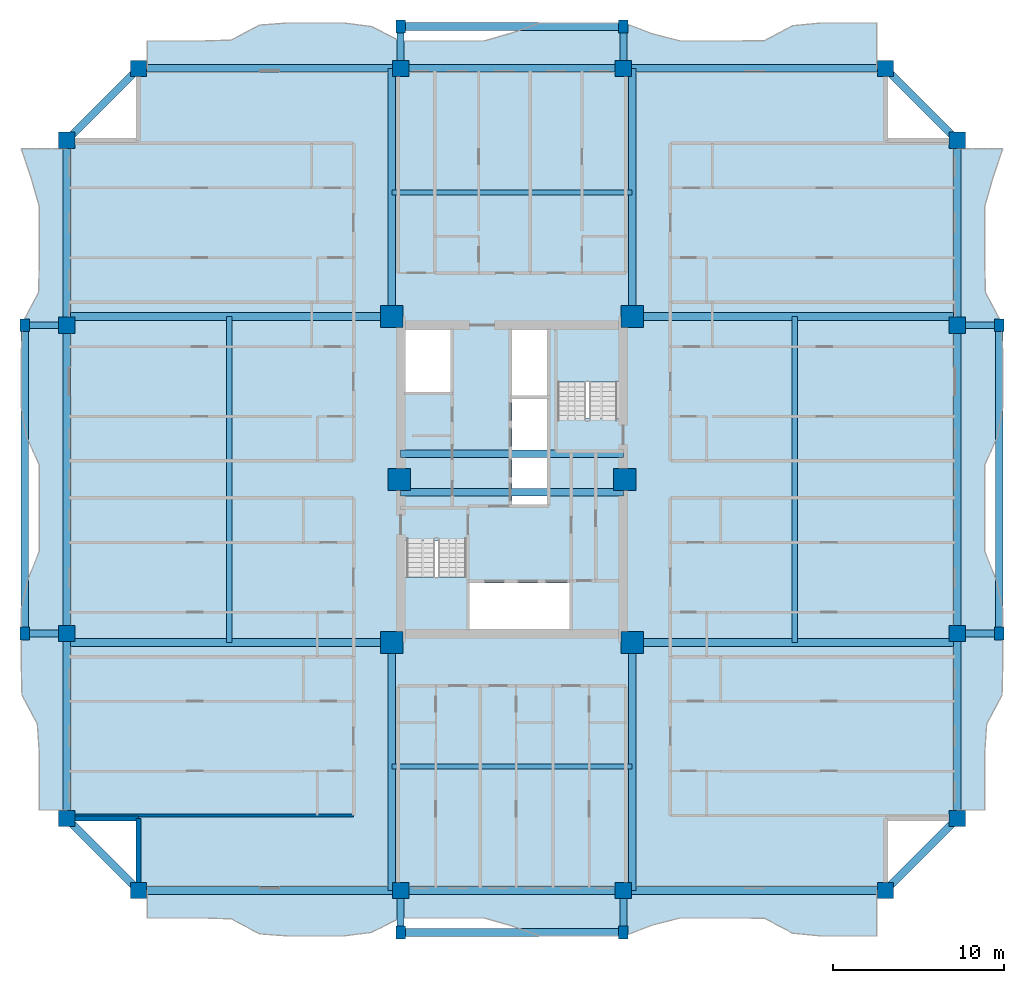
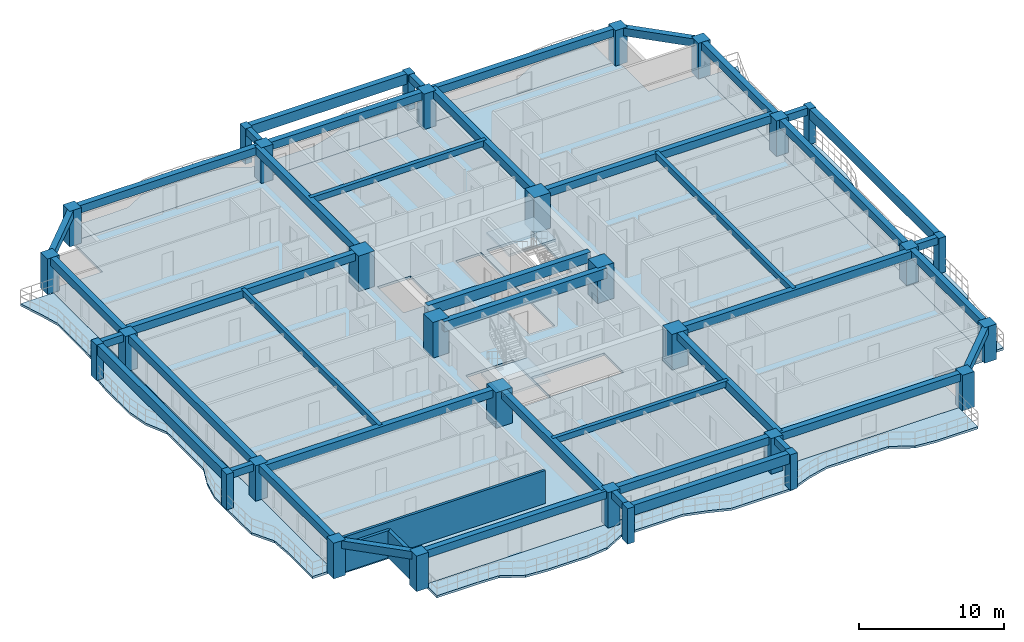
# One storey, part 1 of 13: 42 beams, 30 columns, 7 slabs, 3 walls, 2 elements without a shape of their own.
"""IFC4 building model written with IfcOpenShell, lengths in metres."""

from ifc_helpers import new_model, si_unit, direction, frame, frame_2d, origin, origin_2d, place, context, subcontext, project, spatial, polyline, rectangle, outline, extrude, source, transform, mapped, material, layer, layer_set, material_profile, profile_set, type_object, element, aggregate, save


model = new_model("IFC4")

# Units and contexts
model_context = context("Model", 3, precision=1e-05, world=origin(), true_north=direction((0.0, 1.0)))
body_context = subcontext(model_context, "Body", "Model", "MODEL_VIEW")
ifc_project = project(units=[si_unit("LENGTHUNIT", "METRE"), si_unit("AREAUNIT", "SQUARE_METRE"), si_unit("VOLUMEUNIT", "CUBIC_METRE"), si_unit("PLANEANGLEUNIT", "RADIAN"), si_unit("MASSUNIT", "GRAM", prefix="KILO")], contexts=[model_context])

# Site, building, storey
site_placement = place(None, origin())
site = spatial("IfcSite", under=ifc_project, at=site_placement, CompositionType="ELEMENT")
building_placement = place(site_placement, origin())
building = spatial("IfcBuilding", under=site, at=building_placement, Name="Saelheon Loggia Tower", CompositionType="ELEMENT")
storey_placement = place(building_placement, frame((0.0, 0.0, 104.85009765625)))
storey = spatial("IfcBuildingStorey", under=building, at=storey_placement, Name="L33", CompositionType="ELEMENT", Elevation=104.85009765625)

# Columns
ifc_material_1 = material(Name="Precast Concrete C45/55", Category="concrete")
ifc_material_profile_1 = material_profile(ifc_material_1, rectangle(XDim=0.550048828125, YDim=0.75, at=origin_2d()), Name="RC-550x750")
ifc_profile_set_1 = profile_set([ifc_material_profile_1], Name="Precast Concrete C45/55")
column_type_1 = type_object("IfcColumnType", Name="Col_Loggia_Pilaster_750", PredefinedType="PILASTER", material=ifc_profile_set_1)
shared_shape_1 = source(origin(), body_context, "Body", "SweptSolid", [
    extrude(rectangle(XDim=0.550048828125, YDim=0.75, at=origin_2d()), origin(), (0.0, 0.0, 1.0), 3.0),
])
for number, where, z_axis, x_axis, name in (
    (1, (31.5, 0.550048828125, 0.0), (0.0, 0.0, 1.0), (1.0, 0.0, 0.0), "L33 Loggia Frame Pilaster LP-S1"),
    (2, (44.5, 0.550048828125, 0.0), (0.0, 0.0, 1.0), (1.0, 0.0, 0.0), "L33 Loggia Frame Pilaster LP-S2"),
    (3, (31.5, 53.449951171875, 0.0), (0.0, 0.0, 1.0), (1.0, 0.0, 0.0), "L33 Loggia Frame Pilaster LP-N1"),
    (4, (44.5, 53.449951171875, 0.0), (0.0, 0.0, 1.0), (1.0, 0.0, 0.0), "L33 Loggia Frame Pilaster LP-N2"),
    (5, (66.449951171875, 18.0, 0.0), (0.0, 0.0, 1.0), (1.0, 0.0, 0.0), "L33 Loggia Frame Pilaster LP-E1"),
    (6, (66.449951171875, 36.0, 0.0), (0.0, 0.0, 1.0), (1.0, 0.0, 0.0), "L33 Loggia Frame Pilaster LP-E2"),
    (7, (9.550048828125, 18.0, 0.0), (0.0, 0.0, 1.0), (1.0, 0.0, 0.0), "L33 Loggia Frame Pilaster LP-W1"),
    (8, (9.550048828125, 36.0, 0.0), (0.0, 0.0, 1.0), (1.0, 0.0, 0.0), "L33 Loggia Frame Pilaster LP-W2"),
):
    element("IfcColumn", number, at=place(storey_placement, frame(where, z_axis=z_axis, x_axis=x_axis)), inside=storey, type_object=column_type_1, Name=name, PredefinedType="PILASTER", context=body_context, shape_type="MappedRepresentation", body=[
        mapped(shared_shape_1, transform((0.0, 0.0, 0.0), scale=1.0)),
    ])
ifc_material_2 = material(Name="Concrete C60/75", Category="concrete")
ifc_material_profile_2 = material_profile(ifc_material_2, rectangle(XDim=1.300048828125, YDim=1.300048828125, at=origin_2d()), Name="RC-1300x1300")
ifc_profile_set_2 = profile_set([ifc_material_profile_2], Name="Concrete C60/75")
column_type_2 = type_object("IfcColumnType", Name="Col_Core_RC1300", PredefinedType="COLUMN", material=ifc_profile_set_2)
shared_shape_2 = source(origin(), body_context, "Body", "SweptSolid", [
    extrude(rectangle(XDim=1.300048828125, YDim=1.300048828125, at=origin_2d()), origin(), (0.0, 0.0, 1.0), 3.0),
])
for number, where, z_axis, x_axis, name in (
    (9, (30.97998046875, 17.47998046875, 0.0), (0.0, 0.0, 1.0), (1.0, 0.0, 0.0), "L33 Core Column CR-SW"),
    (10, (45.02001953125, 17.47998046875, 0.0), (0.0, 0.0, 1.0), (1.0, 0.0, 0.0), "L33 Core Column CR-SE"),
    (11, (30.97998046875, 36.52001953125, 0.0), (0.0, 0.0, 1.0), (1.0, 0.0, 0.0), "L33 Core Column CR-NW"),
    (12, (45.02001953125, 36.52001953125, 0.0), (0.0, 0.0, 1.0), (1.0, 0.0, 0.0), "L33 Core Column CR-NE"),
    (13, (31.419921875, 27.0, 0.0), (0.0, 0.0, 1.0), (1.0, 0.0, 0.0), "L33 Core Column CR-MW"),
    (14, (44.580078125, 27.0, 0.0), (0.0, 0.0, 1.0), (1.0, 0.0, 0.0), "L33 Core Column CR-ME"),
):
    element("IfcColumn", number, at=place(storey_placement, frame(where, z_axis=z_axis, x_axis=x_axis)), inside=storey, type_object=column_type_2, Name=name, PredefinedType="COLUMN", context=body_context, shape_type="MappedRepresentation", body=[
        mapped(shared_shape_2, transform((0.0, 0.0, 0.0), scale=1.0)),
    ])
ifc_material_3 = material(Name="Concrete C50/60", Category="concrete")
ifc_material_profile_3 = material_profile(ifc_material_3, rectangle(XDim=0.949951171875, YDim=0.949951171875, at=origin_2d()), Name="RC-950x950")
ifc_profile_set_3 = profile_set([ifc_material_profile_3], Name="Concrete C50/60")
column_type_3 = type_object("IfcColumnType", Name="Col_Perim_RC950", PredefinedType="COLUMN", material=ifc_profile_set_3)
shared_shape_3 = source(origin(), body_context, "Body", "SweptSolid", [
    extrude(rectangle(XDim=0.949951171875, YDim=0.949951171875, at=origin_2d()), origin(), (0.0, 0.0, 1.0), 3.0),
])
for number, where, z_axis, x_axis, name in (
    (15, (16.199951171875, 3.0, 0.0), (0.0, 0.0, 1.0), (1.0, 0.0, 0.0), "L33 Perimeter Column TP-S1"),
    (16, (31.5, 3.0, 0.0), (0.0, 0.0, 1.0), (1.0, 0.0, 0.0), "L33 Perimeter Column TP-SA"),
    (17, (44.5, 3.0, 0.0), (0.0, 0.0, 1.0), (1.0, 0.0, 0.0), "L33 Perimeter Column TP-SB"),
    (18, (59.800048828125, 3.0, 0.0), (0.0, 0.0, 1.0), (1.0, 0.0, 0.0), "L33 Perimeter Column TP-S2"),
    (19, (64.0, 7.199951171875, 0.0), (0.0, 0.0, 1.0), (1.0, 0.0, 0.0), "L33 Perimeter Column TP-E1"),
    (20, (64.0, 18.0, 0.0), (0.0, 0.0, 1.0), (1.0, 0.0, 0.0), "L33 Perimeter Column TP-EA"),
    (21, (64.0, 36.0, 0.0), (0.0, 0.0, 1.0), (1.0, 0.0, 0.0), "L33 Perimeter Column TP-EB"),
    (22, (64.0, 46.800048828125, 0.0), (0.0, 0.0, 1.0), (1.0, 0.0, 0.0), "L33 Perimeter Column TP-E2"),
    (23, (59.800048828125, 51.0, 0.0), (0.0, 0.0, 1.0), (1.0, 0.0, 0.0), "L33 Perimeter Column TP-N2"),
    (24, (44.5, 51.0, 0.0), (0.0, 0.0, 1.0), (1.0, 0.0, 0.0), "L33 Perimeter Column TP-NB"),
    (25, (31.5, 51.0, 0.0), (0.0, 0.0, 1.0), (1.0, 0.0, 0.0), "L33 Perimeter Column TP-NA"),
    (26, (16.199951171875, 51.0, 0.0), (0.0, 0.0, 1.0), (1.0, 0.0, 0.0), "L33 Perimeter Column TP-N1"),
    (27, (12.0, 46.800048828125, 0.0), (0.0, 0.0, 1.0), (1.0, 0.0, 0.0), "L33 Perimeter Column TP-W2"),
    (28, (12.0, 36.0, 0.0), (0.0, 0.0, 1.0), (1.0, 0.0, 0.0), "L33 Perimeter Column TP-WB"),
    (29, (12.0, 18.0, 0.0), (0.0, 0.0, 1.0), (1.0, 0.0, 0.0), "L33 Perimeter Column TP-WA"),
    (30, (12.0, 7.199951171875, 0.0), (0.0, 0.0, 1.0), (1.0, 0.0, 0.0), "L33 Perimeter Column TP-W1"),
):
    element("IfcColumn", number, at=place(storey_placement, frame(where, z_axis=z_axis, x_axis=x_axis)), inside=storey, type_object=column_type_3, Name=name, PredefinedType="COLUMN", context=body_context, shape_type="MappedRepresentation", body=[
        mapped(shared_shape_3, transform((0.0, 0.0, 0.0), scale=1.0)),
    ])

# Beams
ifc_material_profile_4 = material_profile(ifc_material_3, rectangle(XDim=0.449951171875, YDim=0.85009765625, at=origin_2d()), Name="RC-450x850")
ifc_profile_set_4 = profile_set([ifc_material_profile_4], Name="Concrete C50/60")
beam_type_1 = type_object("IfcBeamType", Name="Beam_CoreLintel_RC450x850", PredefinedType="LINTEL", material=ifc_profile_set_4)
shared_shape_4 = source(origin(), body_context, "Body", "SweptSolid", [
    extrude(rectangle(XDim=0.449951171875, YDim=0.85009765625, at=origin_2d()), origin(), (0.0, 0.0, 1.0), 13.0),
])
for number, where, z_axis, x_axis, name in (
    (31, (31.5, 26.25, 2.574951171875), (1.0, 0.0, 0.0), (0.0, 1.0, 0.0), "L33 Core Coupling Lintel 1"),
    (32, (31.5, 28.5, 2.574951171875), (1.0, 0.0, 0.0), (0.0, 1.0, 0.0), "L33 Core Coupling Lintel 2"),
):
    element("IfcBeam", number, at=place(storey_placement, frame(where, z_axis=z_axis, x_axis=x_axis)), inside=storey, type_object=beam_type_1, Name=name, PredefinedType="LINTEL", context=body_context, shape_type="MappedRepresentation", body=[
        mapped(shared_shape_4, transform((0.0, 0.0, 0.0), scale=1.0)),
    ])
ifc_material_profile_5 = material_profile(ifc_material_1, rectangle(XDim=0.449951171875, YDim=0.85009765625, at=origin_2d()), Name="RC-450x850")
ifc_profile_set_5 = profile_set([ifc_material_profile_5], Name="Precast Concrete C45/55")
beam_type_2 = type_object("IfcBeamType", Name="Beam_LoggiaSpandrel_RC450x850", PredefinedType="SPANDREL", material=ifc_profile_set_5)
for number, where, z_axis, x_axis, name in (
    (33, (31.5, 0.550048828125, 2.574951171875), (1.0, 0.0, 0.0), (0.0, 1.0, 0.0), "L33 Loggia Spandrel Beam S"),
    (34, (31.5, 53.449951171875, 2.574951171875), (1.0, 0.0, 0.0), (0.0, 1.0, 0.0), "L33 Loggia Spandrel Beam N"),
):
    element("IfcBeam", number, at=place(storey_placement, frame(where, z_axis=z_axis, x_axis=x_axis)), inside=storey, type_object=beam_type_2, Name=name, PredefinedType="SPANDREL", context=body_context, shape_type="MappedRepresentation", body=[
        mapped(shared_shape_4, transform((0.0, 0.0, 0.0), scale=1.0)),
    ])
ifc_material_profile_6 = material_profile(ifc_material_1, rectangle(XDim=0.39990234375, YDim=0.60009765625, at=origin_2d()), Name="RC-400x600")
ifc_profile_set_6 = profile_set([ifc_material_profile_6], Name="Precast Concrete C45/55")
beam_type_3 = type_object("IfcBeamType", Name="Beam_LoggiaTie_RC400x600", PredefinedType="BEAM", material=ifc_profile_set_6)
shared_shape_5 = source(origin(), body_context, "Body", "SweptSolid", [
    extrude(rectangle(XDim=0.39990234375, YDim=0.60009765625, at=origin_2d()), origin(), (0.0, 0.0, 1.0), 2.449951171875),
])
for number, where, z_axis, x_axis, name in (
    (35, (31.5, 3.0, 2.699951171875), (0.0, -1.0, 0.0), (1.0, 0.0, 0.0), "L33 Loggia Frame Tie Beam LP-S1"),
    (36, (44.5, 3.0, 2.699951171875), (0.0, -1.0, 0.0), (1.0, 0.0, 0.0), "L33 Loggia Frame Tie Beam LP-S2"),
    (37, (31.5, 51.0, 2.699951171875), (0.0, 1.0, 0.0), (-1.0, 0.0, 0.0), "L33 Loggia Frame Tie Beam LP-N1"),
    (38, (44.5, 51.0, 2.699951171875), (0.0, 1.0, 0.0), (-1.0, 0.0, 0.0), "L33 Loggia Frame Tie Beam LP-N2"),
    (39, (64.0, 18.0, 2.699951171875), (1.0, 0.0, 0.0), (0.0, 1.0, 0.0), "L33 Loggia Frame Tie Beam LP-E1"),
    (40, (64.0, 36.0, 2.699951171875), (1.0, 0.0, 0.0), (0.0, 1.0, 0.0), "L33 Loggia Frame Tie Beam LP-E2"),
    (41, (12.0, 18.0, 2.699951171875), (-1.0, 0.0, 0.0), (0.0, -1.0, 0.0), "L33 Loggia Frame Tie Beam LP-W1"),
    (42, (12.0, 36.0, 2.699951171875), (-1.0, 0.0, 0.0), (0.0, -1.0, 0.0), "L33 Loggia Frame Tie Beam LP-W2"),
):
    element("IfcBeam", number, at=place(storey_placement, frame(where, z_axis=z_axis, x_axis=x_axis)), inside=storey, type_object=beam_type_3, Name=name, PredefinedType="BEAM", context=body_context, shape_type="MappedRepresentation", body=[
        mapped(shared_shape_5, transform((0.0, 0.0, 0.0), scale=1.0)),
    ])
shared_shape_6 = source(origin(), body_context, "Body", "SweptSolid", [
    extrude(rectangle(XDim=0.449951171875, YDim=0.85009765625, at=origin_2d()), origin(), (0.0, 0.0, 1.0), 18.0),
])
for number, where, z_axis, x_axis, name in (
    (43, (66.449951171875, 18.0, 2.574951171875), (0.0, 1.0, 0.0), (-1.0, 0.0, 0.0), "L33 Loggia Spandrel Beam E"),
    (44, (9.550048828125, 18.0, 2.574951171875), (0.0, 1.0, 0.0), (-1.0, 0.0, 0.0), "L33 Loggia Spandrel Beam W"),
):
    element("IfcBeam", number, at=place(storey_placement, frame(where, z_axis=z_axis, x_axis=x_axis)), inside=storey, type_object=beam_type_2, Name=name, PredefinedType="SPANDREL", context=body_context, shape_type="MappedRepresentation", body=[
        mapped(shared_shape_6, transform((0.0, 0.0, 0.0), scale=1.0)),
    ])
ifc_material_4 = material(Name="Concrete C40/50", Category="concrete")
ifc_material_profile_7 = material_profile(ifc_material_4, rectangle(XDim=0.449951171875, YDim=0.64990234375, at=origin_2d()), Name="RC-450x650")
ifc_profile_set_7 = profile_set([ifc_material_profile_7], Name="Concrete C40/50")
beam_type_4 = type_object("IfcBeamType", Name="Beam_PerimTower_RC450x650", PredefinedType="BEAM", material=ifc_profile_set_7)
shared_shape_7 = source(origin(), body_context, "Body", "SweptSolid", [
    extrude(rectangle(XDim=0.449951171875, YDim=0.64990234375, at=origin_2d()), origin(), (0.0, 0.0, 1.0), 15.300048828125),
])
for number, where, z_axis, x_axis, name in (
    (45, (16.199951171875, 3.0, 2.6748046875), (1.0, 0.0, 0.0), (0.0, 1.0, 0.0), "L33 Perimeter Frame Girder 01"),
    (46, (44.5, 3.0, 2.6748046875), (1.0, 0.0, 0.0), (0.0, 1.0, 0.0), "L33 Perimeter Frame Girder 03"),
    (47, (59.800048828125, 51.0, 2.6748046875), (-1.0, 0.0, 0.0), (0.0, -1.0, 0.0), "L33 Perimeter Frame Girder 09"),
    (48, (31.5, 51.0, 2.6748046875), (-1.0, 0.0, 0.0), (0.0, -1.0, 0.0), "L33 Perimeter Frame Girder 11"),
):
    element("IfcBeam", number, at=place(storey_placement, frame(where, z_axis=z_axis, x_axis=x_axis)), inside=storey, type_object=beam_type_4, Name=name, PredefinedType="BEAM", context=body_context, shape_type="MappedRepresentation", body=[
        mapped(shared_shape_7, transform((0.0, 0.0, 0.0), scale=1.0)),
    ])
shared_shape_8 = source(origin(), body_context, "Body", "SweptSolid", [
    extrude(rectangle(XDim=0.449951171875, YDim=0.64990234375, at=origin_2d()), origin(), (0.0, 0.0, 1.0), 13.0),
])
for number, where, z_axis, x_axis, name in (
    (49, (31.5, 3.0, 2.6748046875), (1.0, 0.0, 0.0), (0.0, 1.0, 0.0), "L33 Perimeter Frame Girder 02"),
    (50, (44.5, 51.0, 2.6748046875), (-1.0, 0.0, 0.0), (0.0, -1.0, 0.0), "L33 Perimeter Frame Girder 10"),
):
    element("IfcBeam", number, at=place(storey_placement, frame(where, z_axis=z_axis, x_axis=x_axis)), inside=storey, type_object=beam_type_4, Name=name, PredefinedType="BEAM", context=body_context, shape_type="MappedRepresentation", body=[
        mapped(shared_shape_8, transform((0.0, 0.0, 0.0), scale=1.0)),
    ])
shared_shape_9 = source(origin(), body_context, "Body", "SweptSolid", [
    extrude(rectangle(XDim=0.449951171875, YDim=0.64990234375, at=origin_2d()), origin(), (0.0, 0.0, 1.0), 5.939697265625),
])
for number, where, z_axis, x_axis, name in (
    (51, (59.800048828125, 3.0, 2.6748046875), (0.707106781187, 0.707106781187, 0.0), (-0.707106781187, 0.707106781187, 0.0), "L33 Perimeter Frame Girder 04"),
    (52, (64.0, 46.800048828125, 2.6748046875), (-0.707106781187, 0.707106781187, 0.0), (-0.707106781187, -0.707106781187, 0.0), "L33 Perimeter Frame Girder 08"),
    (53, (16.199951171875, 51.0, 2.6748046875), (-0.707106781187, -0.707106781187, 0.0), (0.707106781187, -0.707106781187, 0.0), "L33 Perimeter Frame Girder 12"),
    (54, (12.0, 7.199951171875, 2.6748046875), (0.707106781187, -0.707106781187, 0.0), (0.707106781187, 0.707106781187, 0.0), "L33 Perimeter Frame Girder 16"),
):
    element("IfcBeam", number, at=place(storey_placement, frame(where, z_axis=z_axis, x_axis=x_axis)), inside=storey, type_object=beam_type_4, Name=name, PredefinedType="BEAM", context=body_context, shape_type="MappedRepresentation", body=[
        mapped(shared_shape_9, transform((0.0, 0.0, 0.0), scale=1.0)),
    ])
shared_shape_10 = source(origin(), body_context, "Body", "SweptSolid", [
    extrude(rectangle(XDim=0.449951171875, YDim=0.64990234375, at=origin_2d()), origin(), (0.0, 0.0, 1.0), 10.800048828125),
])
for number, where, z_axis, x_axis, name in (
    (55, (64.0, 7.199951171875, 2.6748046875), (0.0, 1.0, 0.0), (-1.0, 0.0, 0.0), "L33 Perimeter Frame Girder 05"),
    (56, (64.0, 36.0, 2.6748046875), (0.0, 1.0, 0.0), (-1.0, 0.0, 0.0), "L33 Perimeter Frame Girder 07"),
    (57, (12.0, 46.800048828125, 2.6748046875), (0.0, -1.0, 0.0), (1.0, 0.0, 0.0), "L33 Perimeter Frame Girder 13"),
    (58, (12.0, 18.0, 2.6748046875), (0.0, -1.0, 0.0), (1.0, 0.0, 0.0), "L33 Perimeter Frame Girder 15"),
):
    element("IfcBeam", number, at=place(storey_placement, frame(where, z_axis=z_axis, x_axis=x_axis)), inside=storey, type_object=beam_type_4, Name=name, PredefinedType="BEAM", context=body_context, shape_type="MappedRepresentation", body=[
        mapped(shared_shape_10, transform((0.0, 0.0, 0.0), scale=1.0)),
    ])
shared_shape_11 = source(origin(), body_context, "Body", "SweptSolid", [
    extrude(rectangle(XDim=0.449951171875, YDim=0.64990234375, at=origin_2d()), origin(), (0.0, 0.0, 1.0), 18.0),
])
for number, where, z_axis, x_axis, name in (
    (59, (64.0, 18.0, 2.6748046875), (0.0, 1.0, 0.0), (-1.0, 0.0, 0.0), "L33 Perimeter Frame Girder 06"),
    (60, (12.0, 36.0, 2.6748046875), (0.0, -1.0, 0.0), (1.0, 0.0, 0.0), "L33 Perimeter Frame Girder 14"),
):
    element("IfcBeam", number, at=place(storey_placement, frame(where, z_axis=z_axis, x_axis=x_axis)), inside=storey, type_object=beam_type_4, Name=name, PredefinedType="BEAM", context=body_context, shape_type="MappedRepresentation", body=[
        mapped(shared_shape_11, transform((0.0, 0.0, 0.0), scale=1.0)),
    ])
ifc_material_profile_8 = material_profile(ifc_material_4, rectangle(XDim=0.449951171875, YDim=0.64990234375, at=origin_2d()), Name="RC-450x650")
ifc_profile_set_8 = profile_set([ifc_material_profile_8], Name="Concrete C40/50")
beam_type_5 = type_object("IfcBeamType", Name="Beam_TowerGirder_RC450x650", PredefinedType="BEAM", material=ifc_profile_set_8)
shared_shape_12 = source(origin(), body_context, "Body", "SweptSolid", [
    extrude(rectangle(XDim=0.449951171875, YDim=0.64990234375, at=origin_2d()), origin(), (0.0, 0.0, 1.0), 14.47998046875),
])
for number, where, z_axis, x_axis, name in (
    (61, (30.97998046875, 17.47998046875, 2.6748046875), (0.0, -1.0, 0.0), (1.0, 0.0, 0.0), "L33 Radial Floor Girder RAD-SW-S"),
    (62, (45.02001953125, 17.47998046875, 2.6748046875), (0.0, -1.0, 0.0), (1.0, 0.0, 0.0), "L33 Radial Floor Girder RAD-SE-S"),
    (63, (30.97998046875, 36.52001953125, 2.6748046875), (0.0, 1.0, 0.0), (-1.0, 0.0, 0.0), "L33 Radial Floor Girder RAD-NW-N"),
    (64, (45.02001953125, 36.52001953125, 2.6748046875), (0.0, 1.0, 0.0), (-1.0, 0.0, 0.0), "L33 Radial Floor Girder RAD-NE-N"),
):
    element("IfcBeam", number, at=place(storey_placement, frame(where, z_axis=z_axis, x_axis=x_axis)), inside=storey, type_object=beam_type_5, Name=name, PredefinedType="BEAM", context=body_context, shape_type="MappedRepresentation", body=[
        mapped(shared_shape_12, transform((0.0, 0.0, 0.0), scale=1.0)),
    ])
shared_shape_13 = source(origin(), body_context, "Body", "SweptSolid", [
    extrude(rectangle(XDim=0.449951171875, YDim=0.64990234375, at=origin_2d()), origin(), (0.0, 0.0, 1.0), 18.97998046875),
])
for number, where, z_axis, x_axis, name in (
    (65, (30.97998046875, 17.47998046875, 2.6748046875), (-1.0, 0.0, 0.0), (0.0, -1.0, 0.0), "L33 Radial Floor Girder RAD-SW-W"),
    (66, (30.97998046875, 36.52001953125, 2.6748046875), (-1.0, 0.0, 0.0), (0.0, -1.0, 0.0), "L33 Radial Floor Girder RAD-NW-W"),
    (67, (45.02001953125, 17.47998046875, 2.6748046875), (1.0, 0.0, 0.0), (0.0, 1.0, 0.0), "L33 Radial Floor Girder RAD-SE-E"),
    (68, (45.02001953125, 36.52001953125, 2.6748046875), (1.0, 0.0, 0.0), (0.0, 1.0, 0.0), "L33 Radial Floor Girder RAD-NE-E"),
):
    element("IfcBeam", number, at=place(storey_placement, frame(where, z_axis=z_axis, x_axis=x_axis)), inside=storey, type_object=beam_type_5, Name=name, PredefinedType="BEAM", context=body_context, shape_type="MappedRepresentation", body=[
        mapped(shared_shape_13, transform((0.0, 0.0, 0.0), scale=1.0)),
    ])
ifc_material_profile_9 = material_profile(ifc_material_4, rectangle(XDim=0.300048828125, YDim=0.5, at=origin_2d()), Name="RC-300x500")
ifc_profile_set_9 = profile_set([ifc_material_profile_9], Name="Concrete C40/50")
beam_type_6 = type_object("IfcBeamType", Name="Beam_Joist_RC300x500", PredefinedType="JOIST", material=ifc_profile_set_9)
shared_shape_14 = source(origin(), body_context, "Body", "SweptSolid", [
    extrude(rectangle(XDim=0.300048828125, YDim=0.5, at=origin_2d()), origin(), (0.0, 0.0, 1.0), 14.0400390625),
])
for number, where, z_axis, x_axis, name in (
    (69, (30.97998046875, 10.239990234375, 2.75), (1.0, 0.0, 0.0), (0.0, 1.0, 0.0), "L33 South Floor Joist"),
    (70, (30.97998046875, 43.760009765625, 2.75), (1.0, 0.0, 0.0), (0.0, 1.0, 0.0), "L33 North Floor Joist"),
):
    element("IfcBeam", number, at=place(storey_placement, frame(where, z_axis=z_axis, x_axis=x_axis)), inside=storey, type_object=beam_type_6, Name=name, PredefinedType="JOIST", context=body_context, shape_type="MappedRepresentation", body=[
        mapped(shared_shape_14, transform((0.0, 0.0, 0.0), scale=1.0)),
    ])
shared_shape_15 = source(origin(), body_context, "Body", "SweptSolid", [
    extrude(rectangle(XDim=0.300048828125, YDim=0.5, at=origin_2d()), origin(), (0.0, 0.0, 1.0), 19.0400390625),
])
for number, where, z_axis, x_axis, name in (
    (71, (21.489990234375, 17.47998046875, 2.75), (0.0, 1.0, 0.0), (-1.0, 0.0, 0.0), "L33 West Floor Joist"),
    (72, (54.510009765625, 17.47998046875, 2.75), (0.0, 1.0, 0.0), (-1.0, 0.0, 0.0), "L33 East Floor Joist"),
):
    element("IfcBeam", number, at=place(storey_placement, frame(where, z_axis=z_axis, x_axis=x_axis)), inside=storey, type_object=beam_type_6, Name=name, PredefinedType="JOIST", context=body_context, shape_type="MappedRepresentation", body=[
        mapped(shared_shape_15, transform((0.0, 0.0, 0.0), scale=1.0)),
    ])

# Slabs
ifc_layer_1 = layer(ifc_material_1, 0.18994140625)
ifc_layer_set_1 = layer_set([ifc_layer_1], Name="Precast Concrete C45/55")
slab_type_1 = type_object("IfcSlabType", Name="Slab_Loggia_Ext_190", PredefinedType="FLOOR", material=ifc_layer_set_1)
slab_1_placement = place(storey_placement, frame((0.0, 0.0, -0.190185546875)))
element("IfcSlab", 73, at=slab_1_placement, inside=storey, type_object=slab_type_1, Name="L33 Loggia Balcony Slab S", PredefinedType="FLOOR", context=body_context, shape_type="SweptSolid", body=[
    extrude(outline(polyline([(16.699951171875, 1.39990234375), (18.33837890625, 1.39990234375), (19.976806640625, 1.39990234375), (21.615478515625, 1.34619140625), (23.25390625, 0.472412109375), (24.892333984375, 0.35009765625), (26.53076171875, 0.35009765625), (28.169189453125, 0.35009765625), (29.8076171875, 0.5576171875), (31.4462890625, 1.39990234375), (33.084716796875, 1.39990234375), (34.72314453125, 1.39990234375), (36.361572265625, 1.39990234375), (38.0, 0.931396484375), (39.638427734375, 0.35009765625), (41.27685546875, 0.35009765625), (42.915283203125, 0.35009765625), (44.5537109375, 0.35009765625), (46.1923828125, 0.9814453125), (47.830810546875, 1.39990234375), (49.46923828125, 1.39990234375), (51.107666015625, 1.39990234375), (52.74609375, 1.381103515625), (54.384521484375, 0.5087890625), (56.023193359375, 0.35009765625), (57.66162109375, 0.35009765625), (59.300048828125, 0.35009765625), (59.300048828125, 3.0), (16.699951171875, 3.0), (16.699951171875, 1.39990234375)])), origin(), (0.0, 0.0, 1.0), 0.190185546875),
])
slab_2_placement = place(storey_placement, frame((0.0, 0.0, -0.190185546875)))
element("IfcSlab", 74, at=slab_2_placement, inside=storey, type_object=slab_type_1, Name="L33 Loggia Balcony Slab N", PredefinedType="FLOOR", context=body_context, shape_type="SweptSolid", body=[
    extrude(outline(polyline([(16.699951171875, 51.0), (59.300048828125, 51.0), (59.300048828125, 53.64990234375), (57.66162109375, 53.64990234375), (56.023193359375, 53.64990234375), (54.384521484375, 53.4912109375), (52.74609375, 52.618896484375), (51.107666015625, 52.60009765625), (49.46923828125, 52.60009765625), (47.830810546875, 52.60009765625), (46.1923828125, 53.0185546875), (44.5537109375, 53.64990234375), (42.915283203125, 53.64990234375), (41.27685546875, 53.64990234375), (39.638427734375, 53.64990234375), (38.0, 53.068603515625), (36.361572265625, 52.60009765625), (34.72314453125, 52.60009765625), (33.084716796875, 52.60009765625), (31.4462890625, 52.60009765625), (29.8076171875, 53.4423828125), (28.169189453125, 53.64990234375), (26.53076171875, 53.64990234375), (24.892333984375, 53.64990234375), (23.25390625, 53.527587890625), (21.615478515625, 52.65380859375), (19.976806640625, 52.60009765625), (18.33837890625, 52.60009765625), (16.699951171875, 52.60009765625), (16.699951171875, 51.0)])), origin(), (0.0, 0.0, 1.0), 0.190185546875),
])
slab_3_placement = place(storey_placement, frame((0.0, 0.0, -0.190185546875)))
element("IfcSlab", 75, at=slab_3_placement, inside=storey, type_object=slab_type_1, Name="L33 Loggia Balcony Slab E", PredefinedType="FLOOR", context=body_context, shape_type="SweptSolid", body=[
    extrude(outline(polyline([(64.0, 7.699951171875), (65.60009765625, 7.699951171875), (65.60009765625, 9.37841796875), (65.60009765625, 11.056396484375), (65.714599609375, 12.73486328125), (66.60986328125, 14.4130859375), (66.64990234375, 16.09130859375), (66.64990234375, 17.76953125), (66.64990234375, 19.44775390625), (66.271484375, 21.126220703125), (65.60009765625, 22.80419921875), (65.60009765625, 24.482666015625), (65.60009765625, 26.160888671875), (65.60009765625, 27.839111328125), (66.34912109375, 29.517333984375), (66.64990234375, 31.19580078125), (66.64990234375, 32.873779296875), (66.64990234375, 34.55224609375), (66.535888671875, 36.23046875), (65.6416015625, 37.90869140625), (65.60009765625, 39.5869140625), (65.60009765625, 41.26513671875), (65.60009765625, 42.943603515625), (66.080322265625, 44.62158203125), (66.64990234375, 46.300048828125), (64.0, 46.300048828125), (64.0, 7.699951171875)])), origin(), (0.0, 0.0, 1.0), 0.190185546875),
])
slab_4_placement = place(storey_placement, frame((0.0, 0.0, -0.190185546875)))
element("IfcSlab", 76, at=slab_4_placement, inside=storey, type_object=slab_type_1, Name="L33 Loggia Balcony Slab W", PredefinedType="FLOOR", context=body_context, shape_type="SweptSolid", body=[
    extrude(outline(polyline([(12.0, 7.699951171875), (12.0, 46.300048828125), (9.35009765625, 46.300048828125), (9.919677734375, 44.62158203125), (10.39990234375, 42.943603515625), (10.39990234375, 41.26513671875), (10.39990234375, 39.5869140625), (10.3583984375, 37.90869140625), (9.464111328125, 36.23046875), (9.35009765625, 34.55224609375), (9.35009765625, 32.873779296875), (9.35009765625, 31.19580078125), (9.65087890625, 29.517333984375), (10.39990234375, 27.839111328125), (10.39990234375, 26.160888671875), (10.39990234375, 24.482666015625), (10.39990234375, 22.80419921875), (9.728515625, 21.126220703125), (9.35009765625, 19.44775390625), (9.35009765625, 17.76953125), (9.35009765625, 16.09130859375), (9.39013671875, 14.4130859375), (10.285400390625, 12.73486328125), (10.39990234375, 11.056396484375), (10.39990234375, 9.37841796875), (10.39990234375, 7.699951171875), (12.0, 7.699951171875)])), origin(), (0.0, 0.0, 1.0), 0.190185546875),
])

# Stair, slab
stair_type = type_object("IfcStairType", Name="Stair_Escape_Core", PredefinedType="HALF_TURN_STAIR", material=ifc_material_4)
stair_1_placement = place(storey_placement, origin())
stair_1 = element("IfcStair", 77, at=stair_1_placement, inside=storey, type_object=stair_type, Name="L33 Special Escape Stair ST1", PredefinedType="HALF_TURN_STAIR")
ifc_layer_2 = layer(ifc_material_4, 0.199951171875)
ifc_layer_set_2 = layer_set([ifc_layer_2], Name="Concrete C40/50")
slab_type_2 = type_object("IfcSlabType", Name="Slab_StairLanding_ST1", PredefinedType="LANDING", material=ifc_layer_set_2)
slab_5_placement = place(storey_placement, frame((0.0, 0.0, 1.2998046875)))
slab_5 = element("IfcSlab", 78, at=slab_5_placement, type_object=slab_type_2, Name="ST1 landing 1", PredefinedType="LANDING", context=body_context, shape_type="SweptSolid", body=[
    extrude(outline(polyline([(31.7099609375, 21.31005859375), (31.7099609375, 18.2099609375), (35.469970703125, 18.2099609375), (35.469970703125, 21.31005859375), (31.7099609375, 21.31005859375)])), origin(), (0.0, 0.0, 1.0), 0.2001953125),
])
aggregate(stair_1, [slab_5])

stair_2_placement = place(storey_placement, origin())
stair_2 = element("IfcStair", 79, at=stair_2_placement, inside=storey, type_object=stair_type, Name="L33 Special Escape Stair ST2", PredefinedType="HALF_TURN_STAIR")
ifc_layer_3 = layer(ifc_material_4, 0.199951171875)
ifc_layer_set_3 = layer_set([ifc_layer_3], Name="Concrete C40/50")
slab_type_3 = type_object("IfcSlabType", Name="Slab_StairLanding_ST2", PredefinedType="LANDING", material=ifc_layer_set_3)
slab_6_placement = place(storey_placement, frame((0.0, 0.0, 1.2998046875)))
slab_6 = element("IfcSlab", 80, at=slab_6_placement, type_object=slab_type_3, Name="ST2 landing 1", PredefinedType="LANDING", context=body_context, shape_type="SweptSolid", body=[
    extrude(outline(polyline([(44.2900390625, 32.68994140625), (44.2900390625, 35.7900390625), (40.530029296875, 35.7900390625), (40.530029296875, 32.68994140625), (44.2900390625, 32.68994140625)])), origin(), (0.0, 0.0, 1.0), 0.2001953125),
])
aggregate(stair_2, [slab_6])

# Slab
ifc_layer_4 = layer(ifc_material_4, 0.2099609375)
ifc_layer_set_4 = layer_set([ifc_layer_4], Name="Concrete C40/50")
slab_type_4 = type_object("IfcSlabType", Name="Slab_Tower_210", PredefinedType="FLOOR", material=ifc_layer_set_4)
slab_7_placement = place(storey_placement, frame((0.0, 0.0, -0.210205078125)))
element("IfcSlab", 81, at=slab_7_placement, inside=storey, type_object=slab_type_4, Name="L33 Tower Floor Slab", PredefinedType="FLOOR", context=body_context, shape_type="SweptSolid", body=[
    extrude(outline(polyline([(16.199951171875, 3.0), (59.800048828125, 3.0), (59.800048828125, 7.199951171875), (64.0, 7.199951171875), (64.0, 46.800048828125), (59.800048828125, 46.800048828125), (59.800048828125, 51.0), (16.199951171875, 51.0), (16.199951171875, 46.800048828125), (12.0, 46.800048828125), (12.0, 7.199951171875), (16.199951171875, 7.199951171875), (16.199951171875, 3.0)]), holes=[polyline([(31.699951171875, 23.409912109375), (31.699951171875, 18.199951171875), (35.47998046875, 18.199951171875), (35.47998046875, 23.409912109375), (31.699951171875, 23.409912109375)]), polyline([(44.300048828125, 30.590087890625), (44.300048828125, 35.800048828125), (40.52001953125, 35.800048828125), (40.52001953125, 30.590087890625), (44.300048828125, 30.590087890625)]), polyline([(35.530029296875, 18.27490234375), (41.35009765625, 18.27490234375), (41.35009765625, 20.9599609375), (35.530029296875, 20.9599609375), (35.530029296875, 18.27490234375)]), polyline([(31.77490234375, 32.1201171875), (34.419921875, 32.1201171875), (34.419921875, 35.72509765625), (31.77490234375, 35.72509765625), (31.77490234375, 32.1201171875)]), polyline([(38.0, 31.89990234375), (40.050048828125, 31.89990234375), (40.050048828125, 35.72509765625), (38.0, 35.72509765625), (38.0, 31.89990234375)]), polyline([(38.0, 25.5400390625), (40.050048828125, 25.5400390625), (40.050048828125, 31.699951171875), (38.0, 31.699951171875), (38.0, 25.5400390625)])]), origin(), (0.0, 0.0, 1.0), 0.210205078125),
])

# Walls
ifc_material_5 = material(Name="Architectural Precast Concrete C40/50", Category="concrete")
ifc_layer_5 = layer(ifc_material_5, 0.280029296875)
ifc_layer_set_5 = layer_set([ifc_layer_5], Name="Architectural Precast Concrete C40/50")
wall_type_1 = type_object("IfcWallType", Name="Wall_Ext_Loggia_280", PredefinedType="SOLIDWALL", material=ifc_layer_set_5)
for number, where, z_axis, x_axis, name in (
    (82, (16.199951171875, 3.080078125, 0.0), (0.0, 0.0, 1.0), (0.0, 1.0, 0.0), "L33 Corner Notch Precast Wall SW1"),
    (83, (12.080078125, 7.199951171875, 0.0), (0.0, 0.0, 1.0), (1.0, 0.0, 0.0), "L33 Corner Notch Precast Wall SW2"),
):
    element("IfcWall", number, at=place(storey_placement, frame(where, z_axis=z_axis, x_axis=x_axis)), inside=storey, type_object=wall_type_1, Name=name, PredefinedType="SOLIDWALL", context=body_context, shape_type="SweptSolid", body=[
        extrude(rectangle(XDim=4.119873046875, YDim=0.280029296875, at=frame_2d((2.06005859375, 0.0))), origin(), (0.0, 0.0, 1.0), 2.27978515625),
    ])
ifc_material_6 = material(Name="Double Acoustic Stud and Fireboard Partition", Category="gypsum")
ifc_layer_6 = layer(ifc_material_6, 0.199951171875)
ifc_layer_set_6 = layer_set([ifc_layer_6], Name="Double Acoustic Stud and Fireboard Partition")
wall_type_2 = type_object("IfcWallType", Name="Wall_Party_200", PredefinedType="PARTITIONING", material=ifc_layer_set_6)
wall_placement = place(storey_placement, frame((28.75, 7.3798828125, 0.0), z_axis=(0.0, 0.0, 1.0), x_axis=(-1.0, 0.0, 0.0)))
element("IfcWall", 84, at=wall_placement, inside=storey, type_object=wall_type_2, Name="L33 WS Partition U01", PredefinedType="PARTITIONING", context=body_context, shape_type="SweptSolid", body=[
    extrude(rectangle(XDim=16.60009765625, YDim=0.199951171875, at=frame_2d((8.300048828125, 0.0))), origin(), (0.0, 0.0, 1.0), 2.789794921875),
])

save(model, "model.ifc")
